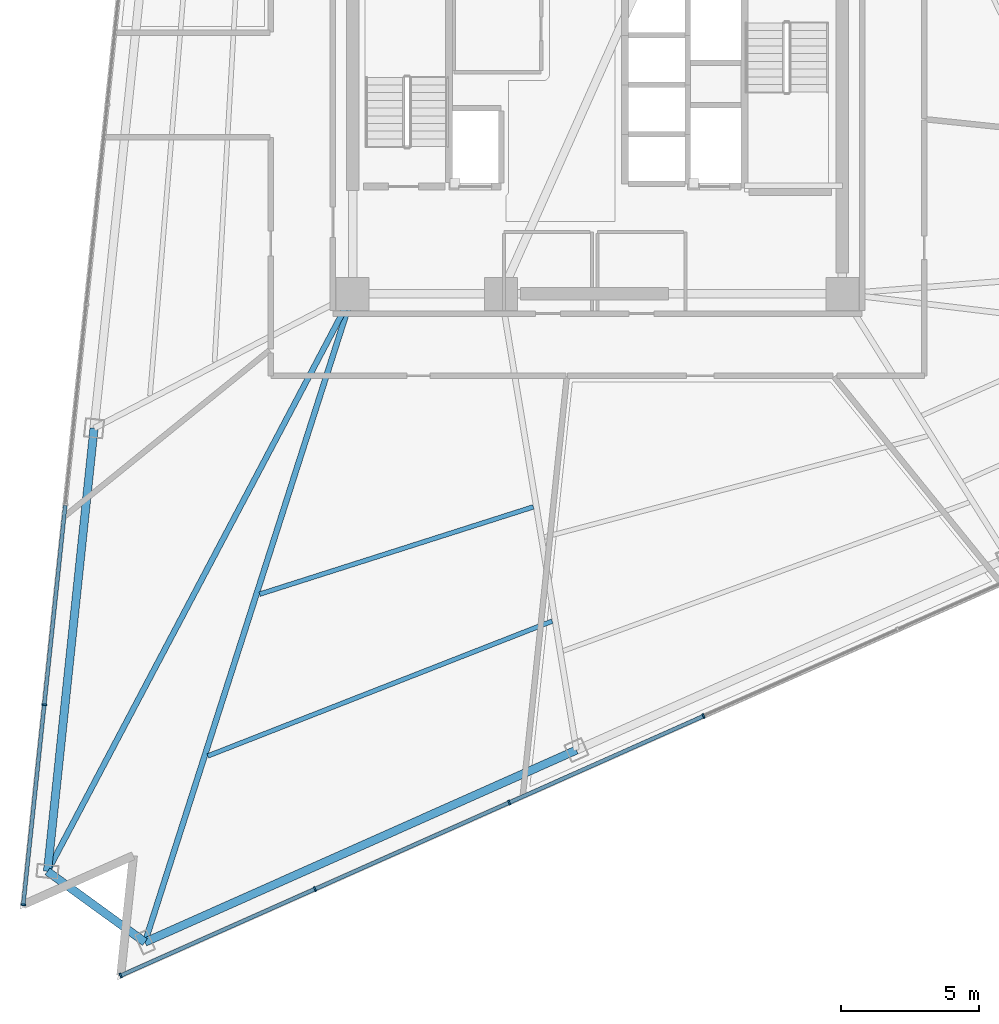
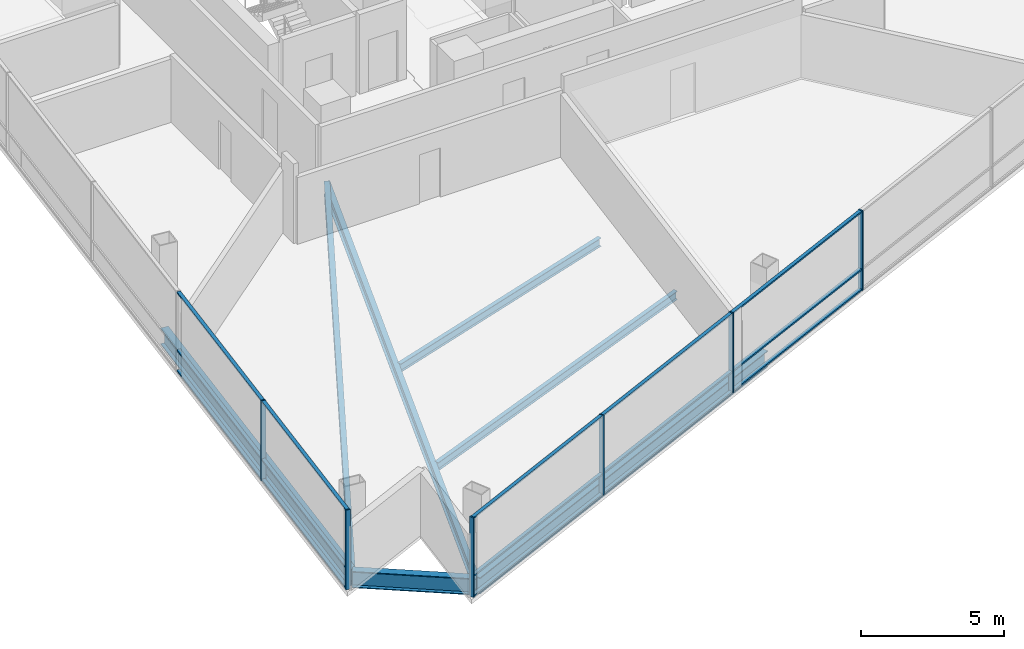
# One storey, part 2 of 17: 21 members, 7 beams, 2 elements without a shape of their own.
"""IFC4 building model written with IfcOpenShell, lengths in metres."""

from ifc_helpers import new_model, si_unit, direction, frame, origin, origin_2d, place, context, subcontext, project, spatial, rectangle, i_section, extrude, material, layer, layer_set, material_profile, profile_set, type_object, element, aggregate, save


model = new_model("IFC4")

# Units and contexts
model_context = context("Model", 3, precision=1e-05, world=origin(), true_north=direction((0.0, 1.0)))
body_context = subcontext(model_context, "Body", "Model", "MODEL_VIEW")
ifc_project = project(units=[si_unit("LENGTHUNIT", "METRE"), si_unit("AREAUNIT", "SQUARE_METRE"), si_unit("VOLUMEUNIT", "CUBIC_METRE"), si_unit("PLANEANGLEUNIT", "RADIAN"), si_unit("MASSUNIT", "GRAM", prefix="KILO")], contexts=[model_context])

# Site, building, storey
site_placement = place(None, origin())
site = spatial("IfcSite", under=ifc_project, at=site_placement, CompositionType="ELEMENT")
building_placement = place(site_placement, origin())
building = spatial("IfcBuilding", under=site, at=building_placement, Name="Tharavind Bronze Gate", CompositionType="ELEMENT")
storey_placement = place(building_placement, frame((0.0, 0.0, 119.64990234375)))
storey = spatial("IfcBuildingStorey", under=building, at=storey_placement, Name="L30", CompositionType="ELEMENT", Elevation=119.64990234375)

# Curtain wall, members
ifc_material_1 = material(Name="Anodised Bronze Aluminium", Category="aluminium")
ifc_layer = layer(ifc_material_1, 0.219970703125)
ifc_layer_set = layer_set([ifc_layer], Name="Anodised Bronze Aluminium")
curtain_wall_type = type_object("IfcCurtainWallType", Name="UNITISED CURTAIN WALL LOWER OFFICE", PredefinedType="USERDEFINED", material=ifc_layer_set)
curtain_wall_1_placement = place(storey_placement, origin())
curtain_wall_1 = element("IfcCurtainWall", 1, at=curtain_wall_1_placement, inside=storey, type_object=curtain_wall_type, Name="L30 unitised curtain wall lower office CW-L30-S1", ObjectType="UNITISED CURTAIN WALL", PredefinedType="USERDEFINED")
member_type_1 = type_object("IfcMemberType", Name="CURTAIN WALL BRONZE MULLION 65X180", PredefinedType="MULLION", material=ifc_material_1)
member_1_placement = place(storey_placement, frame((-20.1142578125, -22.5380859375, 0.0), z_axis=(0.0, 0.0, 1.0), x_axis=(-0.104526727499, -0.994522077803, 0.0)))
member_1 = element("IfcMember", 2, at=member_1_placement, type_object=member_type_1, Name="CW-L30-S1 mullion 7", PredefinedType="MULLION", context=body_context, shape_type="SweptSolid", body=[
    extrude(rectangle(XDim=0.06494140625, YDim=0.179931640625, at=origin_2d()), origin(), (0.0, 0.0, 1.0), 3.409912109375),
])
member_2_placement = place(storey_placement, frame((-20.878662109375, -29.811279296875, 0.0), z_axis=(0.0, 0.0, 1.0), x_axis=(-0.104526727499, -0.994522077803, 0.0)))
member_2 = element("IfcMember", 3, at=member_2_placement, type_object=member_type_1, Name="CW-L30-S1 mullion 8", PredefinedType="MULLION", context=body_context, shape_type="SweptSolid", body=[
    extrude(rectangle(XDim=0.06494140625, YDim=0.179931640625, at=origin_2d()), origin(), (0.0, 0.0, 1.0), 3.409912109375),
])

curtain_wall_2_placement = place(storey_placement, origin())
curtain_wall_2 = element("IfcCurtainWall", 4, at=curtain_wall_2_placement, inside=storey, type_object=curtain_wall_type, Name="L30 unitised curtain wall lower office CW-L30-S2", ObjectType="UNITISED CURTAIN WALL", PredefinedType="USERDEFINED")
member_3_placement = place(storey_placement, frame((-17.335205078125, -32.3857421875, 0.0), z_axis=(0.0, 0.0, 1.0), x_axis=(0.913545457643, 0.406736643076, 0.0)))
member_3 = element("IfcMember", 5, at=member_3_placement, type_object=member_type_1, Name="CW-L30-S2 mullion 1", PredefinedType="MULLION", context=body_context, shape_type="SweptSolid", body=[
    extrude(rectangle(XDim=0.06494140625, YDim=0.179931640625, at=origin_2d()), origin(), (0.0, 0.0, 1.0), 3.409912109375),
])
member_4_placement = place(storey_placement, frame((-10.273193359375, -29.241455078125, 0.0), z_axis=(0.0, 0.0, 1.0), x_axis=(0.913545457643, 0.406736643076, 0.0)))
member_4 = element("IfcMember", 6, at=member_4_placement, type_object=member_type_1, Name="CW-L30-S2 mullion 2", PredefinedType="MULLION", context=body_context, shape_type="SweptSolid", body=[
    extrude(rectangle(XDim=0.06494140625, YDim=0.179931640625, at=origin_2d()), origin(), (0.0, 0.0, 1.0), 3.409912109375),
])
member_5_placement = place(storey_placement, frame((-3.2109375, -26.097412109375, 0.0), z_axis=(0.0, 0.0, 1.0), x_axis=(0.913545457643, 0.406736643076, 0.0)))
member_5 = element("IfcMember", 7, at=member_5_placement, type_object=member_type_1, Name="CW-L30-S2 mullion 3", PredefinedType="MULLION", context=body_context, shape_type="SweptSolid", body=[
    extrude(rectangle(XDim=0.06494140625, YDim=0.179931640625, at=origin_2d()), origin(), (0.0, 0.0, 1.0), 3.409912109375),
])
member_6_placement = place(storey_placement, frame((3.851318359375, -22.952880859375, 0.0), z_axis=(0.0, 0.0, 1.0), x_axis=(0.913545457643, 0.406736643076, 0.0)))
member_6 = element("IfcMember", 8, at=member_6_placement, type_object=member_type_1, Name="CW-L30-S2 mullion 4", PredefinedType="MULLION", context=body_context, shape_type="SweptSolid", body=[
    extrude(rectangle(XDim=0.06494140625, YDim=0.179931640625, at=origin_2d()), origin(), (0.0, 0.0, 1.0), 3.409912109375),
])

# Member
member_type_2 = type_object("IfcMemberType", Name="CURTAIN WALL BRONZE TRANSOM 65X140", PredefinedType="USERDEFINED", material=ifc_material_1)
member_7_placement = place(storey_placement, frame((-19.73193359375, -18.9013671875, 0.000244140625), z_axis=(0.0, 0.0, 1.0), x_axis=(-0.104526727499, -0.994522077803, 0.0)))
member_7 = element("IfcMember", 9, at=member_7_placement, type_object=member_type_2, Name="CW-L30-S1 transom TB6", ObjectType="TRANSOM", PredefinedType="USERDEFINED", context=body_context, shape_type="SweptSolid", body=[
    extrude(rectangle(XDim=7.26025390625, YDim=0.139892578125, at=origin_2d()), origin(), (0.0, 0.0, 1.0), 0.06494140625),
])

member_8_placement = place(storey_placement, frame((-19.73193359375, -18.9013671875, 0.86767578125), z_axis=(0.0, 0.0, 1.0), x_axis=(-0.104526727499, -0.994522077803, 0.0)))
member_8 = element("IfcMember", 10, at=member_8_placement, type_object=member_type_2, Name="CW-L30-S1 transom TS6", ObjectType="TRANSOM", PredefinedType="USERDEFINED", context=body_context, shape_type="SweptSolid", body=[
    extrude(rectangle(XDim=7.26025390625, YDim=0.139892578125, at=origin_2d()), origin(), (0.0, 0.0, 1.0), 0.06494140625),
])

member_9_placement = place(storey_placement, frame((-19.73193359375, -18.9013671875, 3.34521484375), z_axis=(0.0, 0.0, 1.0), x_axis=(-0.104526727499, -0.994522077803, 0.0)))
member_9 = element("IfcMember", 11, at=member_9_placement, type_object=member_type_2, Name="CW-L30-S1 transom TT6", ObjectType="TRANSOM", PredefinedType="USERDEFINED", context=body_context, shape_type="SweptSolid", body=[
    extrude(rectangle(XDim=7.26025390625, YDim=0.139892578125, at=origin_2d()), origin(), (0.0, 0.0, 1.0), 0.06494140625),
])

member_10_placement = place(storey_placement, frame((-20.49658203125, -26.1748046875, 0.000244140625), z_axis=(0.0, 0.0, 1.0), x_axis=(-0.104526727499, -0.994522077803, 0.0)))
member_10 = element("IfcMember", 12, at=member_10_placement, type_object=member_type_2, Name="CW-L30-S1 transom TB7", ObjectType="TRANSOM", PredefinedType="USERDEFINED", context=body_context, shape_type="SweptSolid", body=[
    extrude(rectangle(XDim=7.26025390625, YDim=0.139892578125, at=origin_2d()), origin(), (0.0, 0.0, 1.0), 0.06494140625),
])

member_11_placement = place(storey_placement, frame((-20.49658203125, -26.1748046875, 0.86767578125), z_axis=(0.0, 0.0, 1.0), x_axis=(-0.104526727499, -0.994522077803, 0.0)))
member_11 = element("IfcMember", 13, at=member_11_placement, type_object=member_type_2, Name="CW-L30-S1 transom TS7", ObjectType="TRANSOM", PredefinedType="USERDEFINED", context=body_context, shape_type="SweptSolid", body=[
    extrude(rectangle(XDim=7.26025390625, YDim=0.139892578125, at=origin_2d()), origin(), (0.0, 0.0, 1.0), 0.06494140625),
])

member_12_placement = place(storey_placement, frame((-20.49658203125, -26.1748046875, 3.34521484375), z_axis=(0.0, 0.0, 1.0), x_axis=(-0.104526727499, -0.994522077803, 0.0)))
member_12 = element("IfcMember", 14, at=member_12_placement, type_object=member_type_2, Name="CW-L30-S1 transom TT7", ObjectType="TRANSOM", PredefinedType="USERDEFINED", context=body_context, shape_type="SweptSolid", body=[
    extrude(rectangle(XDim=7.26025390625, YDim=0.139892578125, at=origin_2d()), origin(), (0.0, 0.0, 1.0), 0.06494140625),
])

aggregate(curtain_wall_1, [member_1, member_2, member_7, member_8, member_9, member_10, member_11, member_12])

member_13_placement = place(storey_placement, frame((-13.80419921875, -30.813720703125, 0.000244140625), z_axis=(0.0, 0.0, 1.0), x_axis=(0.913545457643, 0.406736643076, 0.0)))
member_13 = element("IfcMember", 15, at=member_13_placement, type_object=member_type_2, Name="CW-L30-S2 transom TB1", ObjectType="TRANSOM", PredefinedType="USERDEFINED", context=body_context, shape_type="SweptSolid", body=[
    extrude(rectangle(XDim=7.677490234375, YDim=0.139892578125, at=origin_2d()), origin(), (0.0, 0.0, 1.0), 0.06494140625),
])

member_14_placement = place(storey_placement, frame((-13.80419921875, -30.813720703125, 0.86767578125), z_axis=(0.0, 0.0, 1.0), x_axis=(0.913545457643, 0.406736643076, 0.0)))
member_14 = element("IfcMember", 16, at=member_14_placement, type_object=member_type_2, Name="CW-L30-S2 transom TS1", ObjectType="TRANSOM", PredefinedType="USERDEFINED", context=body_context, shape_type="SweptSolid", body=[
    extrude(rectangle(XDim=7.677490234375, YDim=0.139892578125, at=origin_2d()), origin(), (0.0, 0.0, 1.0), 0.06494140625),
])

member_15_placement = place(storey_placement, frame((-13.80419921875, -30.813720703125, 3.34521484375), z_axis=(0.0, 0.0, 1.0), x_axis=(0.913545457643, 0.406736643076, 0.0)))
member_15 = element("IfcMember", 17, at=member_15_placement, type_object=member_type_2, Name="CW-L30-S2 transom TT1", ObjectType="TRANSOM", PredefinedType="USERDEFINED", context=body_context, shape_type="SweptSolid", body=[
    extrude(rectangle(XDim=7.677490234375, YDim=0.139892578125, at=origin_2d()), origin(), (0.0, 0.0, 1.0), 0.06494140625),
])

member_16_placement = place(storey_placement, frame((-6.741943359375, -27.66943359375, 0.000244140625), z_axis=(0.0, 0.0, 1.0), x_axis=(0.913545457643, 0.406736643076, 0.0)))
member_16 = element("IfcMember", 18, at=member_16_placement, type_object=member_type_2, Name="CW-L30-S2 transom TB2", ObjectType="TRANSOM", PredefinedType="USERDEFINED", context=body_context, shape_type="SweptSolid", body=[
    extrude(rectangle(XDim=7.677490234375, YDim=0.139892578125, at=origin_2d()), origin(), (0.0, 0.0, 1.0), 0.06494140625),
])

member_17_placement = place(storey_placement, frame((-6.741943359375, -27.66943359375, 0.86767578125), z_axis=(0.0, 0.0, 1.0), x_axis=(0.913545457643, 0.406736643076, 0.0)))
member_17 = element("IfcMember", 19, at=member_17_placement, type_object=member_type_2, Name="CW-L30-S2 transom TS2", ObjectType="TRANSOM", PredefinedType="USERDEFINED", context=body_context, shape_type="SweptSolid", body=[
    extrude(rectangle(XDim=7.677490234375, YDim=0.139892578125, at=origin_2d()), origin(), (0.0, 0.0, 1.0), 0.06494140625),
])

member_18_placement = place(storey_placement, frame((-6.741943359375, -27.66943359375, 3.34521484375), z_axis=(0.0, 0.0, 1.0), x_axis=(0.913545457643, 0.406736643076, 0.0)))
member_18 = element("IfcMember", 20, at=member_18_placement, type_object=member_type_2, Name="CW-L30-S2 transom TT2", ObjectType="TRANSOM", PredefinedType="USERDEFINED", context=body_context, shape_type="SweptSolid", body=[
    extrude(rectangle(XDim=7.677490234375, YDim=0.139892578125, at=origin_2d()), origin(), (0.0, 0.0, 1.0), 0.06494140625),
])

member_19_placement = place(storey_placement, frame((0.3203125, -24.525146484375, 0.000244140625), z_axis=(0.0, 0.0, 1.0), x_axis=(0.913545457643, 0.406736643076, 0.0)))
member_19 = element("IfcMember", 21, at=member_19_placement, type_object=member_type_2, Name="CW-L30-S2 transom TB3", ObjectType="TRANSOM", PredefinedType="USERDEFINED", context=body_context, shape_type="SweptSolid", body=[
    extrude(rectangle(XDim=7.677490234375, YDim=0.139892578125, at=origin_2d()), origin(), (0.0, 0.0, 1.0), 0.06494140625),
])

member_20_placement = place(storey_placement, frame((0.3203125, -24.525146484375, 0.86767578125), z_axis=(0.0, 0.0, 1.0), x_axis=(0.913545457643, 0.406736643076, 0.0)))
member_20 = element("IfcMember", 22, at=member_20_placement, type_object=member_type_2, Name="CW-L30-S2 transom TS3", ObjectType="TRANSOM", PredefinedType="USERDEFINED", context=body_context, shape_type="SweptSolid", body=[
    extrude(rectangle(XDim=7.677490234375, YDim=0.139892578125, at=origin_2d()), origin(), (0.0, 0.0, 1.0), 0.06494140625),
])

member_21_placement = place(storey_placement, frame((0.3203125, -24.525146484375, 3.34521484375), z_axis=(0.0, 0.0, 1.0), x_axis=(0.913545457643, 0.406736643076, 0.0)))
member_21 = element("IfcMember", 23, at=member_21_placement, type_object=member_type_2, Name="CW-L30-S2 transom TT3", ObjectType="TRANSOM", PredefinedType="USERDEFINED", context=body_context, shape_type="SweptSolid", body=[
    extrude(rectangle(XDim=7.677490234375, YDim=0.139892578125, at=origin_2d()), origin(), (0.0, 0.0, 1.0), 0.06494140625),
])

aggregate(curtain_wall_2, [member_3, member_4, member_5, member_6, member_13, member_14, member_15, member_16, member_17, member_18, member_19, member_20, member_21])

# Beams
ifc_material_2 = material(Name="Steel S355", Category="steel")
ifc_material_profile_1 = material_profile(ifc_material_2, i_section(OverallWidth=0.2099609375, OverallDepth=0.550048828125, WebThickness=0.010986328125, FlangeThickness=0.01708984375, at=origin_2d()), Name="IPE550")
ifc_profile_set_1 = profile_set([ifc_material_profile_1], Name="Steel S355")
beam_type_1 = type_object("IfcBeamType", Name="PRIMARY GIRDER IPE550", PredefinedType="USERDEFINED", material=ifc_profile_set_1)
beam_1_placement = place(storey_placement, frame((-19.9970703125, -28.597900390625, -0.46484375), z_axis=(0.467252343424, 0.884124000107, 0.0), x_axis=(-0.884124000107, 0.467252343424, 0.0)))
element("IfcBeam", 24, at=beam_1_placement, inside=storey, type_object=beam_type_1, Name="L30 primary girder ipe550 BM-L30-RAD04", ObjectType="GIRDER", PredefinedType="USERDEFINED", context=body_context, shape_type="SweptSolid", body=[
    extrude(i_section(OverallWidth=0.2099609375, OverallDepth=0.550048828125, WebThickness=0.010986328125, FlangeThickness=0.01708984375, at=origin_2d()), origin(), (0.0, 0.0, 1.0), 23.749755859375),
])
beam_2_placement = place(storey_placement, frame((-16.45361328125, -31.17236328125, -0.46484375), z_axis=(0.305163640021, 0.952299927969, 0.0), x_axis=(-0.952299927969, 0.305163640021, 0.0)))
element("IfcBeam", 25, at=beam_2_placement, inside=storey, type_object=beam_type_1, Name="L30 primary girder ipe550 BM-L30-RAD05", ObjectType="GIRDER", PredefinedType="USERDEFINED", context=body_context, shape_type="SweptSolid", body=[
    extrude(i_section(OverallWidth=0.2099609375, OverallDepth=0.550048828125, WebThickness=0.010986328125, FlangeThickness=0.01708984375, at=origin_2d()), origin(), (0.0, 0.0, 1.0), 24.7529296875),
])
ifc_material_profile_2 = material_profile(ifc_material_2, i_section(OverallWidth=0.300048828125, OverallDepth=0.699951171875, WebThickness=0.01708984375, FlangeThickness=0.031982421875, at=origin_2d()), Name="HE700B")
ifc_profile_set_2 = profile_set([ifc_material_profile_2], Name="Steel S355")
beam_type_2 = type_object("IfcBeamType", Name="RING GIRDER HE700B", PredefinedType="USERDEFINED", material=ifc_profile_set_2)
beam_3_placement = place(storey_placement, frame((-18.303955078125, -12.488037109375, -0.539794921875), z_axis=(-0.104522380175, -0.994522534708, 0.0), x_axis=(0.994522534708, -0.104522380175, 0.0)))
element("IfcBeam", 26, at=beam_3_placement, inside=storey, type_object=beam_type_2, Name="L30 ring girder he700b BM-L30-PRG03", ObjectType="GIRDER", PredefinedType="USERDEFINED", context=body_context, shape_type="SweptSolid", body=[
    extrude(i_section(OverallWidth=0.300048828125, OverallDepth=0.699951171875, WebThickness=0.01708984375, FlangeThickness=0.031982421875, at=origin_2d()), origin(), (0.0, 0.0, 1.0), 16.198486328125),
])
beam_4_placement = place(storey_placement, frame((-19.9970703125, -28.597900390625, -0.539794921875), z_axis=(0.809018008275, -0.587783856777, 0.0), x_axis=(0.587783856777, 0.809018008275, 0.0)))
element("IfcBeam", 27, at=beam_4_placement, inside=storey, type_object=beam_type_2, Name="L30 ring girder he700b BM-L30-PRG04", ObjectType="GIRDER", PredefinedType="USERDEFINED", context=body_context, shape_type="SweptSolid", body=[
    extrude(i_section(OverallWidth=0.300048828125, OverallDepth=0.699951171875, WebThickness=0.01708984375, FlangeThickness=0.031982421875, at=origin_2d()), origin(), (0.0, 0.0, 1.0), 4.3798828125),
])
beam_5_placement = place(storey_placement, frame((-16.45361328125, -31.17236328125, -0.539794921875), z_axis=(0.913546351362, 0.406734635744, 0.0), x_axis=(-0.406734635744, 0.913546351362, 0.0)))
element("IfcBeam", 28, at=beam_5_placement, inside=storey, type_object=beam_type_2, Name="L30 ring girder he700b BM-L30-PRG05", ObjectType="GIRDER", PredefinedType="USERDEFINED", context=body_context, shape_type="SweptSolid", body=[
    extrude(i_section(OverallWidth=0.300048828125, OverallDepth=0.699951171875, WebThickness=0.01708984375, FlangeThickness=0.031982421875, at=origin_2d()), origin(), (0.0, 0.0, 1.0), 17.171875),
])
ifc_material_profile_3 = material_profile(ifc_material_2, i_section(OverallWidth=0.169921875, OverallDepth=0.360107421875, WebThickness=0.008056640625, FlangeThickness=0.0126953125, at=origin_2d()), Name="IPE360")
ifc_profile_set_3 = profile_set([ifc_material_profile_3], Name="Steel S355")
beam_type_3 = type_object("IfcBeamType", Name="SECONDARY FLOOR JOIST IPE360", PredefinedType="JOIST", material=ifc_profile_set_3)
beam_6_placement = place(storey_placement, frame((-12.285888671875, -18.520751953125, -0.369873046875), z_axis=(0.952718678144, 0.303853781144, 0.0), x_axis=(-0.303853781144, 0.952718678144, 0.0)))
element("IfcBeam", 29, at=beam_6_placement, inside=storey, type_object=beam_type_3, Name="L30 secondary floor joist ipe360 BM-L30-JSTA05", PredefinedType="JOIST", context=body_context, shape_type="SweptSolid", body=[
    extrude(i_section(OverallWidth=0.169921875, OverallDepth=0.360107421875, WebThickness=0.008056640625, FlangeThickness=0.0126953125, at=origin_2d()), origin(), (0.0, 0.0, 1.0), 10.446044921875),
])
beam_7_placement = place(storey_placement, frame((-14.1708984375, -24.4033203125, -0.369873046875), z_axis=(0.931178744784, 0.364562951028, 0.0), x_axis=(-0.364562951028, 0.931178744784, 0.0)))
element("IfcBeam", 30, at=beam_7_placement, inside=storey, type_object=beam_type_3, Name="L30 secondary floor joist ipe360 BM-L30-JSTB05", PredefinedType="JOIST", context=body_context, shape_type="SweptSolid", body=[
    extrude(i_section(OverallWidth=0.169921875, OverallDepth=0.360107421875, WebThickness=0.008056640625, FlangeThickness=0.0126953125, at=origin_2d()), origin(), (0.0, 0.0, 1.0), 13.447265625),
])

save(model, "model.ifc")
